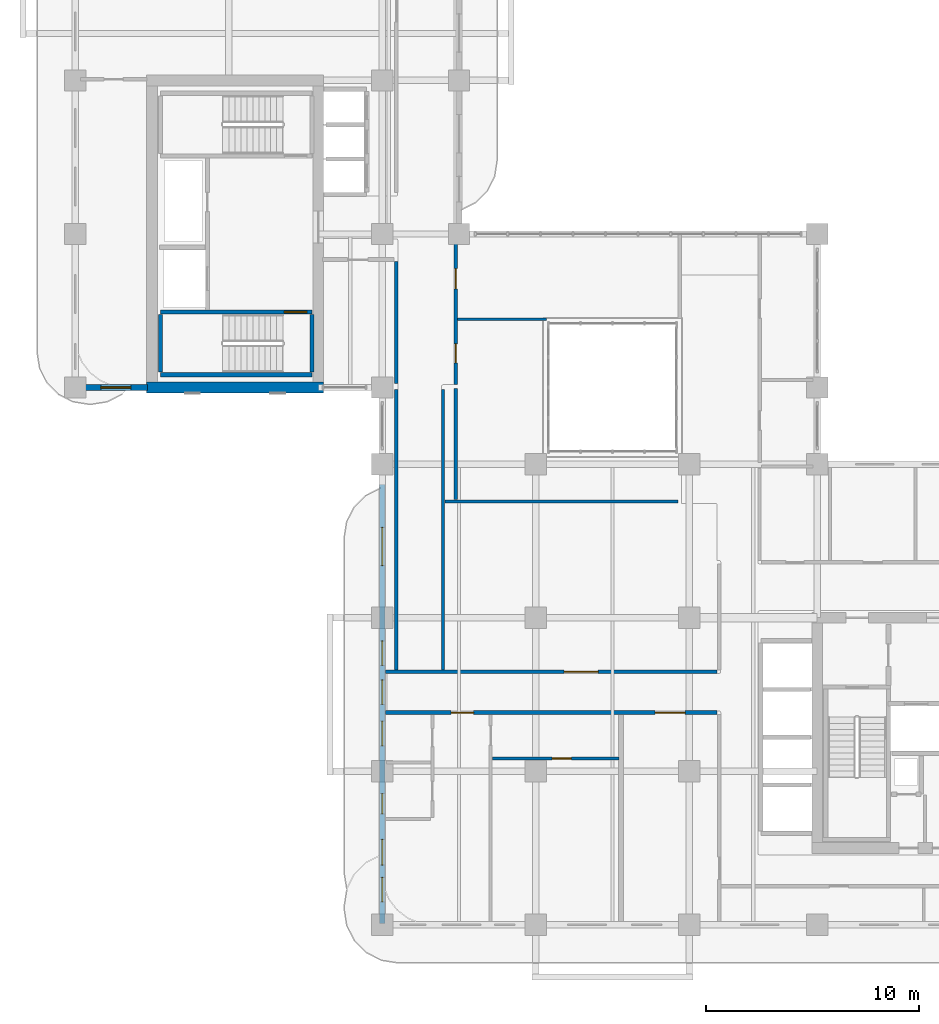
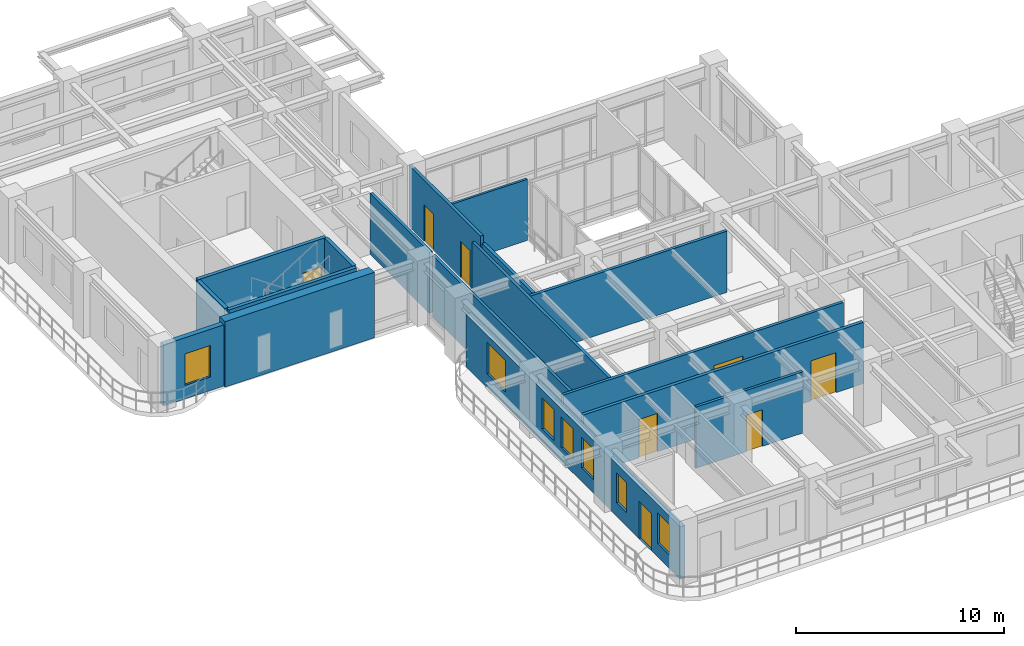
# One storey, part 11 of 19: 17 walls, 8 doors, 7 windows, 15 openings.
"""IFC4 building model written with IfcOpenShell, lengths in metres."""

from ifc_helpers import new_model, si_unit, derived_unit, direction, frame, frame_2d, origin, place, context, subcontext, project, spatial, rectangle, extrude, source, transform, mapped, material, layer, layer_set, type_object, type_shapes, element, fill, save


model = new_model("IFC4")

# Units and contexts
model_context = context("Model", 3, precision=1e-05, world=origin(), true_north=direction((0.0, 1.0)))
body_context = subcontext(model_context, "Body", "Model", "MODEL_VIEW")
ifc_project = project(units=[si_unit("LENGTHUNIT", "METRE"), si_unit("AREAUNIT", "SQUARE_METRE"), si_unit("VOLUMEUNIT", "CUBIC_METRE"), si_unit("PLANEANGLEUNIT", "RADIAN"), si_unit("MASSUNIT", "GRAM", prefix="KILO"), si_unit("THERMODYNAMICTEMPERATUREUNIT", "KELVIN"), si_unit("POWERUNIT", "WATT"), derived_unit("THERMALTRANSMITTANCEUNIT", [(si_unit("POWERUNIT", "WATT"), 1), (si_unit("AREAUNIT", "SQUARE_METRE"), -1), (si_unit("THERMODYNAMICTEMPERATUREUNIT", "KELVIN"), -1)])], contexts=[model_context])

# Site, building, storey
site_placement = place(None, origin())
site = spatial("IfcSite", under=ifc_project, at=site_placement, CompositionType="ELEMENT")
building_placement = place(site_placement, origin())
building = spatial("IfcBuilding", under=site, at=building_placement, Name="Zahravan Archway Hotel and Residences", CompositionType="ELEMENT")
storey_placement = place(building_placement, frame((0.0, 0.0, 158.0)))
storey = spatial("IfcBuildingStorey", under=building, at=storey_placement, Name="L39", CompositionType="ELEMENT", Elevation=158.0)

# Wall
ifc_material_1 = material(Name="Concrete C60/75", Category="concrete")
ifc_layer_1 = layer(ifc_material_1, 0.5, Name="Concrete C60/75", Category="concrete")
ifc_layer_set_1 = layer_set([ifc_layer_1], Name="Concrete C60/75")
wall_type_1 = type_object("IfcWallType", Name="CW-CORE-500", PredefinedType="SHEAR", material=ifc_layer_set_1)
wall_1_placement = place(storey_placement, frame((3.35009765625, 25.199951171875, 0.0), z_axis=(0.0, 0.0, 1.0), x_axis=(1.0, 0.0, 0.0)))
element("IfcWall", 1, at=wall_1_placement, inside=storey, type_object=wall_type_1, Name="L39 Core B Shear S Wall 500 mm", PredefinedType="SHEAR", context=body_context, shape_type="SweptSolid", body=[
    extrude(rectangle(XDim=8.2998046875, YDim=0.5, at=frame_2d((4.14990234375, 0.0))), origin(), (0.0, 0.0, 1.0), 3.85009765625),
])

# Wall, openings, door, windows
ifc_material_2 = material(Name="Honed Red-Ochre Sandstone & Insulated Block", Category="masonry")
ifc_layer_2 = layer(ifc_material_2, 0.280029296875, Name="Honed Red-Ochre Sandstone & Insulated Block", Category="masonry")
ifc_layer_set_2 = layer_set([ifc_layer_2], Name="Honed Red-Ochre Sandstone & Insulated Block")
wall_type_2 = type_object("IfcWallType", Name="EW-LOG-280", PredefinedType="SOLIDWALL", material=ifc_layer_set_2)
wall_2_placement = place(storey_placement, frame((14.39990234375, 0.050048828125, 0.0), z_axis=(0.0, 0.0, 1.0), x_axis=(0.0, 1.0, 0.0)))
wall_2 = element("IfcWall", 2, at=wall_2_placement, inside=storey, type_object=wall_type_2, Name="L39 Exterior Sandstone Wall WA-WL", PredefinedType="SOLIDWALL", context=body_context, shape_type="SweptSolid", body=[
    extrude(rectangle(XDim=20.599853515625, YDim=0.280029296875, at=frame_2d((10.2998046875, 0.0))), origin(), (0.0, 0.0, 1.0), 3.0849609375),
])
opening_1_placement = place(wall_2_placement, frame((2.75, 0.0, 0.0)))
opening_1 = element("IfcOpeningElement", 3, at=opening_1_placement, cuts=wall_2, Name="Opening ED-BL1", PredefinedType="OPENING", context=body_context, shape_type="SweptSolid", body=[
    extrude(rectangle(XDim=1.199951171875, YDim=2.199951171875, at=frame_2d((0.60009765625, 1.10009765625))), frame((0.0, 0.14990234375, 0.0), z_axis=(0.0, -1.0, 0.0), x_axis=(1.0, 0.0, 0.0)), (0.0, 0.0, 1.0), 0.300048828125),
])
opening_2_placement = place(wall_2_placement, frame((1.02490234375, 0.0, 0.800048828125)))
opening_2 = element("IfcOpeningElement", 4, at=opening_2_placement, cuts=wall_2, Name="Opening W-05", PredefinedType="OPENING", context=body_context, shape_type="SweptSolid", body=[
    extrude(rectangle(XDim=1.14990234375, YDim=1.800048828125, at=frame_2d((0.574951171875, 0.89990234375))), frame((0.0, 0.14990234375, 0.0), z_axis=(0.0, -1.0, 0.0), x_axis=(1.0, 0.0, 0.0)), (0.0, 0.0, 1.0), 0.300048828125),
])
opening_3_placement = place(wall_2_placement, frame((5.154052734375, 0.0, 0.800048828125)))
opening_3 = element("IfcOpeningElement", 5, at=opening_3_placement, cuts=wall_2, Name="Opening W-04", PredefinedType="OPENING", context=body_context, shape_type="SweptSolid", body=[
    extrude(rectangle(XDim=0.949951171875, YDim=1.75, at=frame_2d((0.47509765625, 0.875))), frame((0.0, 0.14990234375, 0.0), z_axis=(0.0, -1.0, 0.0), x_axis=(1.0, 0.0, 0.0)), (0.0, 0.0, 1.0), 0.300048828125),
])
opening_4_placement = place(wall_2_placement, frame((8.345947265625, 0.0, 0.800048828125)))
opening_4 = element("IfcOpeningElement", 6, at=opening_4_placement, cuts=wall_2, Name="Opening W-05", PredefinedType="OPENING", context=body_context, shape_type="SweptSolid", body=[
    extrude(rectangle(XDim=1.14990234375, YDim=1.800048828125, at=frame_2d((0.574951171875, 0.89990234375))), frame((0.0, 0.14990234375, 0.0), z_axis=(0.0, -1.0, 0.0), x_axis=(1.0, 0.0, 0.0)), (0.0, 0.0, 1.0), 0.300048828125),
])
opening_5_placement = place(wall_2_placement, frame((10.284912109375, 0.0, 0.800048828125)))
opening_5 = element("IfcOpeningElement", 7, at=opening_5_placement, cuts=wall_2, Name="Opening W-05", PredefinedType="OPENING", context=body_context, shape_type="SweptSolid", body=[
    extrude(rectangle(XDim=1.14990234375, YDim=1.800048828125, at=frame_2d((0.574951171875, 0.89990234375))), frame((0.0, 0.14990234375, 0.0), z_axis=(0.0, -1.0, 0.0), x_axis=(1.0, 0.0, 0.0)), (0.0, 0.0, 1.0), 0.300048828125),
])
opening_6_placement = place(wall_2_placement, frame((12.114013671875, 0.0, 0.800048828125)))
opening_6 = element("IfcOpeningElement", 8, at=opening_6_placement, cuts=wall_2, Name="Opening W-05", PredefinedType="OPENING", context=body_context, shape_type="SweptSolid", body=[
    extrude(rectangle(XDim=1.14990234375, YDim=1.800048828125, at=frame_2d((0.574951171875, 0.89990234375))), frame((0.0, 0.14990234375, 0.0), z_axis=(0.0, -1.0, 0.0), x_axis=(1.0, 0.0, 0.0)), (0.0, 0.0, 1.0), 0.300048828125),
])
opening_7_placement = place(wall_2_placement, frame((16.7900390625, 0.0, 0.800048828125)))
opening_7 = element("IfcOpeningElement", 9, at=opening_7_placement, cuts=wall_2, Name="Opening W-02", PredefinedType="OPENING", context=body_context, shape_type="SweptSolid", body=[
    extrude(rectangle(XDim=1.800048828125, YDim=1.85009765625, at=frame_2d((0.89990234375, 0.925048828125))), frame((0.0, 0.14990234375, 0.0), z_axis=(0.0, -1.0, 0.0), x_axis=(1.0, 0.0, 0.0)), (0.0, 0.0, 1.0), 0.300048828125),
])
ifc_material_3 = material(Name="Bronze-Anodized Glazed Aluminium", Category="aluminium")
door_type_1 = type_object("IfcDoorType", Name="ED-BALC-1200", OperationType="SLIDING_TO_LEFT", PredefinedType="DOOR", material=ifc_material_3)
shared_shape_1 = source(origin(), body_context, "Body", "SweptSolid", [
    extrude(rectangle(XDim=1.199951171875, YDim=2.199951171875, at=frame_2d((0.60009765625, 1.10009765625))), frame((0.0, 0.02490234375, 0.0), z_axis=(0.0, -1.0, 0.0), x_axis=(1.0, 0.0, 0.0)), (0.0, 0.0, 1.0), 0.050048828125),
])
type_shapes(door_type_1, [shared_shape_1])
door_1_placement = place(opening_1_placement, origin())
door_1 = element("IfcDoor", 10, at=door_1_placement, inside=storey, type_object=door_type_1, Name="L39 Outdoor Access Sliding Door (SLB-BAL-L39-WA)", OperationType="SLIDING_TO_LEFT", OverallHeight=2.199951171875, OverallWidth=1.199951171875, PredefinedType="DOOR", context=body_context, shape_type="MappedRepresentation", body=[
    mapped(shared_shape_1, transform((0.0, 0.0, 0.0), scale=1.0)),
])
fill(opening_1, door_1)
ifc_material_4 = material(Name="Bronze-Anodized Thermal-Break Aluminium & Low-E Glass", Category="aluminium")
window_type_1 = type_object("IfcWindowType", Name="WIN-NAR-950", PartitioningType="SINGLE_PANEL", PredefinedType="WINDOW", material=ifc_material_4)
shared_shape_2 = source(origin(), body_context, "Body", "SweptSolid", [
    extrude(rectangle(XDim=0.949951171875, YDim=1.75, at=frame_2d((0.47509765625, 0.875))), frame((0.0, 0.030029296875, 0.0), z_axis=(0.0, -1.0, 0.0), x_axis=(1.0, 0.0, 0.0)), (0.0, 0.0, 1.0), 0.06005859375),
])
type_shapes(window_type_1, [shared_shape_2])
window_1_placement = place(opening_3_placement, origin())
window_1 = element("IfcWindow", 11, at=window_1_placement, inside=storey, type_object=window_type_1, Name="L39 Loggia Window 16", OverallHeight=1.75, OverallWidth=0.949951171875, PartitioningType="SINGLE_PANEL", PredefinedType="WINDOW", context=body_context, shape_type="MappedRepresentation", body=[
    mapped(shared_shape_2, transform((0.0, 0.0, 0.0), scale=1.0)),
])
fill(opening_3, window_1)
window_type_2 = type_object("IfcWindowType", Name="WIN-TWR-1800", PartitioningType="DOUBLE_PANEL_VERTICAL", PredefinedType="WINDOW", material=ifc_material_4)
shared_shape_3 = source(origin(), body_context, "Body", "SweptSolid", [
    extrude(rectangle(XDim=1.800048828125, YDim=1.85009765625, at=frame_2d((0.89990234375, 0.925048828125))), frame((0.0, 0.030029296875, 0.0), z_axis=(0.0, -1.0, 0.0), x_axis=(1.0, 0.0, 0.0)), (0.0, 0.0, 1.0), 0.06005859375),
])
type_shapes(window_type_2, [shared_shape_3])
window_2_placement = place(opening_7_placement, origin())
window_2 = element("IfcWindow", 12, at=window_2_placement, inside=storey, type_object=window_type_2, Name="L39 Loggia Window 20", OverallHeight=1.85009765625, OverallWidth=1.800048828125, PartitioningType="DOUBLE_PANEL_VERTICAL", PredefinedType="WINDOW", context=body_context, shape_type="MappedRepresentation", body=[
    mapped(shared_shape_3, transform((0.0, 0.0, 0.0), scale=1.0)),
])
fill(opening_7, window_2)
window_type_3 = type_object("IfcWindowType", Name="WIN-TWR-1150", PartitioningType="SINGLE_PANEL", PredefinedType="WINDOW", material=ifc_material_4)
shared_shape_4 = source(origin(), body_context, "Body", "SweptSolid", [
    extrude(rectangle(XDim=1.14990234375, YDim=1.800048828125, at=frame_2d((0.574951171875, 0.89990234375))), frame((0.0, 0.030029296875, 0.0), z_axis=(0.0, -1.0, 0.0), x_axis=(1.0, 0.0, 0.0)), (0.0, 0.0, 1.0), 0.06005859375),
])
type_shapes(window_type_3, [shared_shape_4])
window_3_placement = place(opening_2_placement, origin())
window_3 = element("IfcWindow", 13, at=window_3_placement, inside=storey, type_object=window_type_3, Name="L39 Loggia Window 15", OverallHeight=1.800048828125, OverallWidth=1.14990234375, PartitioningType="SINGLE_PANEL", PredefinedType="WINDOW", context=body_context, shape_type="MappedRepresentation", body=[
    mapped(shared_shape_4, transform((0.0, 0.0, 0.0), scale=1.0)),
])
fill(opening_2, window_3)
window_4_placement = place(opening_4_placement, origin())
window_4 = element("IfcWindow", 14, at=window_4_placement, inside=storey, type_object=window_type_3, Name="L39 Loggia Window 17", OverallHeight=1.800048828125, OverallWidth=1.14990234375, PartitioningType="SINGLE_PANEL", PredefinedType="WINDOW", context=body_context, shape_type="MappedRepresentation", body=[
    mapped(shared_shape_4, transform((0.0, 0.0, 0.0), scale=1.0)),
])
fill(opening_4, window_4)
window_5_placement = place(opening_5_placement, origin())
window_5 = element("IfcWindow", 15, at=window_5_placement, inside=storey, type_object=window_type_3, Name="L39 Loggia Window 18", OverallHeight=1.800048828125, OverallWidth=1.14990234375, PartitioningType="SINGLE_PANEL", PredefinedType="WINDOW", context=body_context, shape_type="MappedRepresentation", body=[
    mapped(shared_shape_4, transform((0.0, 0.0, 0.0), scale=1.0)),
])
fill(opening_5, window_5)
window_6_placement = place(opening_6_placement, origin())
window_6 = element("IfcWindow", 16, at=window_6_placement, inside=storey, type_object=window_type_3, Name="L39 Loggia Window 19", OverallHeight=1.800048828125, OverallWidth=1.14990234375, PartitioningType="SINGLE_PANEL", PredefinedType="WINDOW", context=body_context, shape_type="MappedRepresentation", body=[
    mapped(shared_shape_4, transform((0.0, 0.0, 0.0), scale=1.0)),
])
fill(opening_6, window_6)

# Wall, opening, window
wall_3_placement = place(storey_placement, frame((0.0, 25.199951171875, 0.0), z_axis=(0.0, 0.0, 1.0), x_axis=(1.0, 0.0, 0.0)))
wall_3 = element("IfcWall", 17, at=wall_3_placement, inside=storey, type_object=wall_type_2, Name="L39 Exterior Sandstone Wall WB-SW", PredefinedType="SOLIDWALL", context=body_context, shape_type="SweptSolid", body=[
    extrude(rectangle(XDim=3.3798828125, YDim=0.280029296875, at=frame_2d((1.68994140625, 0.0))), origin(), (0.0, 0.0, 1.0), 3.60009765625),
])
opening_8_placement = place(wall_3_placement, frame((1.205078125, 0.0, 0.800048828125)))
opening_8 = element("IfcOpeningElement", 18, at=opening_8_placement, cuts=wall_3, Name="Opening W-03", PredefinedType="OPENING", context=body_context, shape_type="SweptSolid", body=[
    extrude(rectangle(XDim=1.39990234375, YDim=1.85009765625, at=frame_2d((0.699951171875, 0.925048828125))), frame((0.0, 0.14990234375, 0.0), z_axis=(0.0, -1.0, 0.0), x_axis=(1.0, 0.0, 0.0)), (0.0, 0.0, 1.0), 0.300048828125),
])
window_type_4 = type_object("IfcWindowType", Name="WIN-TWR-1400", PartitioningType="SINGLE_PANEL", PredefinedType="WINDOW", material=ifc_material_4)
shared_shape_5 = source(origin(), body_context, "Body", "SweptSolid", [
    extrude(rectangle(XDim=1.39990234375, YDim=1.85009765625, at=frame_2d((0.699951171875, 0.925048828125))), frame((0.0, 0.030029296875, 0.0), z_axis=(0.0, -1.0, 0.0), x_axis=(1.0, 0.0, 0.0)), (0.0, 0.0, 1.0), 0.06005859375),
])
type_shapes(window_type_4, [shared_shape_5])
window_7_placement = place(opening_8_placement, origin())
window_7 = element("IfcWindow", 19, at=window_7_placement, inside=storey, type_object=window_type_4, Name="L39 Loggia Window 21", OverallHeight=1.85009765625, OverallWidth=1.39990234375, PartitioningType="SINGLE_PANEL", PredefinedType="WINDOW", context=body_context, shape_type="MappedRepresentation", body=[
    mapped(shared_shape_5, transform((0.0, 0.0, 0.0), scale=1.0)),
])
fill(opening_8, window_7)

# Wall, opening, door
ifc_material_5 = material(Name="Fire-Rated Gypsum & Concrete Block", Category="concrete")
ifc_layer_3 = layer(ifc_material_5, 0.159912109375, Name="Fire-Rated Gypsum & Concrete Block", Category="concrete")
ifc_layer_set_3 = layer_set([ifc_layer_3], Name="Fire-Rated Gypsum & Concrete Block")
wall_type_3 = type_object("IfcWallType", Name="PW-CORR-160", PredefinedType="PARTITIONING", material=ifc_layer_set_3)
wall_4_placement = place(storey_placement, frame((14.548095703125, 11.8701171875, 0.0), z_axis=(0.0, 0.0, 1.0), x_axis=(1.0, 0.0, 0.0)))
wall_4 = element("IfcWall", 20, at=wall_4_placement, inside=storey, type_object=wall_type_3, Name="L39 Partition WA-CN", PredefinedType="PARTITIONING", context=body_context, shape_type="SweptSolid", body=[
    extrude(rectangle(XDim=15.56201171875, YDim=0.159912109375, at=frame_2d((7.781005859375, 0.0))), origin(), (0.0, 0.0, 1.0), 3.60009765625),
])
opening_9_placement = place(wall_4_placement, frame((8.376953125, 0.0, 0.0)))
opening_9 = element("IfcOpeningElement", 21, at=opening_9_placement, cuts=wall_4, Name="Opening D-P2", PredefinedType="OPENING", context=body_context, shape_type="SweptSolid", body=[
    extrude(rectangle(XDim=1.60009765625, YDim=2.39990234375, at=frame_2d((0.800048828125, 1.199951171875))), frame((0.0, 0.08984375, 0.0), z_axis=(0.0, -1.0, 0.0), x_axis=(1.0, 0.0, 0.0)), (0.0, 0.0, 1.0), 0.179931640625),
])
door_type_2 = type_object("IfcDoorType", Name="ID-PUBLIC-1600", OperationType="DOUBLE_DOOR_SINGLE_SWING", PredefinedType="DOOR", material=ifc_material_3)
shared_shape_6 = source(origin(), body_context, "Body", "SweptSolid", [
    extrude(rectangle(XDim=1.60009765625, YDim=2.39990234375, at=frame_2d((0.800048828125, 1.199951171875))), frame((0.0, 0.02490234375, 0.0), z_axis=(0.0, -1.0, 0.0), x_axis=(1.0, 0.0, 0.0)), (0.0, 0.0, 1.0), 0.050048828125),
])
type_shapes(door_type_2, [shared_shape_6])
door_2_placement = place(opening_9_placement, origin())
door_2 = element("IfcDoor", 22, at=door_2_placement, inside=storey, type_object=door_type_2, Name="L39 Atrium Spa Door", OperationType="DOUBLE_DOOR_SINGLE_SWING", OverallHeight=2.39990234375, OverallWidth=1.60009765625, PredefinedType="DOOR", context=body_context, shape_type="MappedRepresentation", body=[
    mapped(shared_shape_6, transform((0.0, 0.0, 0.0), scale=1.0)),
])
fill(opening_9, door_2)

# Walls
for number, where, z_axis, x_axis, name in (
    (23, (15.050048828125, 11.9599609375, 0.0), (0.0, 0.0, 1.0), (0.0, 1.0, 0.0), "L39 Partition LNK-W"),
    (24, (17.25, 11.9599609375, 0.0), (0.0, 0.0, 1.0), (0.0, 1.0, 0.0), "L39 Partition LNK-E"),
):
    element("IfcWall", number, at=place(storey_placement, frame(where, z_axis=z_axis, x_axis=x_axis)), inside=storey, type_object=wall_type_3, Name=name, PredefinedType="PARTITIONING", context=body_context, shape_type="SweptSolid", body=[
        extrude(rectangle(XDim=13.150146484375, YDim=0.159912109375, at=frame_2d((6.5751953125, 0.0))), origin(), (0.0, 0.0, 1.0), 3.60009765625),
    ])
wall_5_placement = place(storey_placement, frame((15.050048828125, 25.389892578125, 0.0), z_axis=(0.0, 0.0, 1.0), x_axis=(0.0, 1.0, 0.0)))
element("IfcWall", 25, at=wall_5_placement, inside=storey, type_object=wall_type_3, Name="L39 Partition FB1-E", PredefinedType="PARTITIONING", context=body_context, shape_type="SweptSolid", body=[
    extrude(rectangle(XDim=5.72021484375, YDim=0.159912109375, at=frame_2d((2.860107421875, 0.0))), origin(), (0.0, 0.0, 1.0), 3.60009765625),
])
wall_6_placement = place(storey_placement, frame((17.340087890625, 19.85009765625, 0.0), z_axis=(0.0, 0.0, 1.0), x_axis=(1.0, 0.0, 0.0)))
element("IfcWall", 26, at=wall_6_placement, inside=storey, type_object=wall_type_3, Name="L39 Partition ATR-S", PredefinedType="PARTITIONING", context=body_context, shape_type="SweptSolid", body=[
    extrude(rectangle(XDim=10.919921875, YDim=0.159912109375, at=frame_2d((5.4599609375, 0.0))), origin(), (0.0, 0.0, 1.0), 3.60009765625),
])

# Wall, openings, doors
ifc_layer_4 = layer(ifc_material_5, 0.179931640625, Name="Fire-Rated Gypsum & Concrete Block", Category="concrete")
ifc_layer_set_4 = layer_set([ifc_layer_4], Name="Fire-Rated Gypsum & Concrete Block")
wall_type_4 = type_object("IfcWallType", Name="PW-CORR-180", PredefinedType="PARTITIONING", material=ifc_layer_set_4)
wall_7_placement = place(storey_placement, frame((14.548095703125, 9.949951171875, 0.0), z_axis=(0.0, 0.0, 1.0), x_axis=(1.0, 0.0, 0.0)))
wall_7 = element("IfcWall", 27, at=wall_7_placement, inside=storey, type_object=wall_type_4, Name="L39 Partition WA-CS", PredefinedType="PARTITIONING", context=body_context, shape_type="SweptSolid", body=[
    extrude(rectangle(XDim=15.56201171875, YDim=0.179931640625, at=frame_2d((7.781005859375, 0.0))), origin(), (0.0, 0.0, 1.0), 3.60009765625),
])
opening_10_placement = place(wall_7_placement, frame((3.08203125, 0.0, 0.0)))
opening_10 = element("IfcOpeningElement", 28, at=opening_10_placement, cuts=wall_7, Name="Opening D-U1", PredefinedType="OPENING", context=body_context, shape_type="SweptSolid", body=[
    extrude(rectangle(XDim=1.050048828125, YDim=2.25, at=frame_2d((0.52490234375, 1.125))), frame((0.0, 0.10009765625, 0.0), z_axis=(0.0, -1.0, 0.0), x_axis=(1.0, 0.0, 0.0)), (0.0, 0.0, 1.0), 0.199951171875),
])
opening_11_placement = place(wall_7_placement, frame((12.652099609375, 0.0, 0.0)))
opening_11 = element("IfcOpeningElement", 29, at=opening_11_placement, cuts=wall_7, Name="Opening D-P1", PredefinedType="OPENING", context=body_context, shape_type="SweptSolid", body=[
    extrude(rectangle(XDim=1.39990234375, YDim=2.35009765625, at=frame_2d((0.699951171875, 1.175048828125))), frame((0.0, 0.10009765625, 0.0), z_axis=(0.0, -1.0, 0.0), x_axis=(1.0, 0.0, 0.0)), (0.0, 0.0, 1.0), 0.199951171875),
])
door_type_3 = type_object("IfcDoorType", Name="ID-PUBLIC-1400", OperationType="DOUBLE_DOOR_SINGLE_SWING", PredefinedType="DOOR", material=ifc_material_3)
shared_shape_7 = source(origin(), body_context, "Body", "SweptSolid", [
    extrude(rectangle(XDim=1.39990234375, YDim=2.35009765625, at=frame_2d((0.699951171875, 1.175048828125))), frame((0.0, 0.02490234375, 0.0), z_axis=(0.0, -1.0, 0.0), x_axis=(1.0, 0.0, 0.0)), (0.0, 0.0, 1.0), 0.050048828125),
])
type_shapes(door_type_3, [shared_shape_7])
door_3_placement = place(opening_11_placement, origin())
door_3 = element("IfcDoor", 30, at=door_3_placement, inside=storey, type_object=door_type_3, Name="L39 South Yoga Salon Door", OperationType="DOUBLE_DOOR_SINGLE_SWING", OverallHeight=2.35009765625, OverallWidth=1.39990234375, PredefinedType="DOOR", context=body_context, shape_type="MappedRepresentation", body=[
    mapped(shared_shape_7, transform((0.0, 0.0, 0.0), scale=1.0)),
])
fill(opening_11, door_3)
ifc_material_6 = material(Name="Hardwood Veneer Timber", Category="wood")
door_type_4 = type_object("IfcDoorType", Name="ID-UNIT-1050", OperationType="NOTDEFINED", PredefinedType="DOOR", material=ifc_material_6)
shared_shape_8 = source(origin(), body_context, "Body", "SweptSolid", [
    extrude(rectangle(XDim=1.050048828125, YDim=2.25, at=frame_2d((0.52490234375, 1.125))), frame((0.0, 0.02490234375, 0.0), z_axis=(0.0, -1.0, 0.0), x_axis=(1.0, 0.0, 0.0)), (0.0, 0.0, 1.0), 0.050048828125),
])
type_shapes(door_type_4, [shared_shape_8])
door_4_placement = place(opening_10_placement, origin())
door_4 = element("IfcDoor", 31, at=door_4_placement, inside=storey, type_object=door_type_4, Name="L39 Flat S1 Entrance Door", OperationType="SINGLE_SWING_LEFT", OverallHeight=2.25, OverallWidth=1.050048828125, PredefinedType="DOOR", context=body_context, shape_type="MappedRepresentation", body=[
    mapped(shared_shape_8, transform((0.0, 0.0, 0.0), scale=1.0)),
])
fill(opening_10, door_4)

# Wall
ifc_material_7 = material(Name="Acoustic Stud Partition")
ifc_layer_5 = layer(ifc_material_7, 0.125, Name="Acoustic Stud Partition")
ifc_layer_set_5 = layer_set([ifc_layer_5], Name="Acoustic Stud Partition")
wall_type_5 = type_object("IfcWallType", Name="PW-INT-125", PredefinedType="PARTITIONING", material=ifc_layer_set_5)
wall_8_placement = place(storey_placement, frame((17.93994140625, 28.39990234375, 0.0), z_axis=(0.0, 0.0, 1.0), x_axis=(1.0, 0.0, 0.0)))
element("IfcWall", 32, at=wall_8_placement, inside=storey, type_object=wall_type_5, Name="L39 Partition ATR-NW1", PredefinedType="PARTITIONING", context=body_context, shape_type="SweptSolid", body=[
    extrude(rectangle(XDim=4.170166015625, YDim=0.125, at=frame_2d((2.0849609375, 0.0))), origin(), (0.0, 0.0, 1.0), 3.60009765625),
])

# Wall, opening, door
ifc_layer_6 = layer(ifc_material_7, 0.14990234375, Name="Acoustic Stud Partition")
ifc_layer_set_6 = layer_set([ifc_layer_6], Name="Acoustic Stud Partition")
wall_type_6 = type_object("IfcWallType", Name="PW-UNIT-150", PredefinedType="PARTITIONING", material=ifc_layer_set_6)
wall_9_placement = place(storey_placement, frame((19.570068359375, 7.800048828125, 0.0), z_axis=(0.0, 0.0, 1.0), x_axis=(1.0, 0.0, 0.0)))
wall_9 = element("IfcWall", 33, at=wall_9_placement, inside=storey, type_object=wall_type_6, Name="L39 Partition FL-S1-GH", PredefinedType="PARTITIONING", context=body_context, shape_type="SweptSolid", body=[
    extrude(rectangle(XDim=5.93994140625, YDim=0.14990234375, at=frame_2d((2.969970703125, 0.0))), origin(), (0.0, 0.0, 1.0), 3.60009765625),
])
opening_12_placement = place(wall_9_placement, frame((2.797607421875, 0.0, 0.0)))
opening_12 = element("IfcOpeningElement", 34, at=opening_12_placement, cuts=wall_9, Name="Opening D-I2", PredefinedType="OPENING", context=body_context, shape_type="SweptSolid", body=[
    extrude(rectangle(XDim=0.89990234375, YDim=2.14990234375, at=frame_2d((0.449951171875, 1.074951171875))), frame((0.0, 0.0849609375, 0.0), z_axis=(0.0, -1.0, 0.0), x_axis=(1.0, 0.0, 0.0)), (0.0, 0.0, 1.0), 0.169921875),
])
door_type_5 = type_object("IfcDoorType", Name="ID-INT-900", OperationType="NOTDEFINED", PredefinedType="DOOR", material=ifc_material_6)
shared_shape_9 = source(origin(), body_context, "Body", "SweptSolid", [
    extrude(rectangle(XDim=0.89990234375, YDim=2.14990234375, at=frame_2d((0.449951171875, 1.074951171875))), frame((0.0, 0.02490234375, 0.0), z_axis=(0.0, -1.0, 0.0), x_axis=(1.0, 0.0, 0.0)), (0.0, 0.0, 1.0), 0.050048828125),
])
type_shapes(door_type_5, [shared_shape_9])
door_5_placement = place(opening_12_placement, origin())
door_5 = element("IfcDoor", 35, at=door_5_placement, inside=storey, type_object=door_type_5, Name="L39 Flat S1 Bedroom 1 Door", OperationType="SINGLE_SWING_RIGHT", OverallHeight=2.14990234375, OverallWidth=0.89990234375, PredefinedType="DOOR", context=body_context, shape_type="MappedRepresentation", body=[
    mapped(shared_shape_9, transform((0.0, 0.0, 0.0), scale=1.0)),
])
fill(opening_12, door_5)

# Wall
ifc_layer_7 = layer(ifc_material_7, 0.169921875, Name="Acoustic Stud Partition")
ifc_layer_set_7 = layer_set([ifc_layer_7], Name="Acoustic Stud Partition")
wall_type_7 = type_object("IfcWallType", Name="PW-UNIT-170", PredefinedType="PARTITIONING", material=ifc_layer_set_7)
wall_10_placement = place(storey_placement, frame((17.85009765625, 19.93994140625, 0.0), z_axis=(0.0, 0.0, 1.0), x_axis=(0.0, 1.0, 0.0)))
element("IfcWall", 36, at=wall_10_placement, inside=storey, type_object=wall_type_7, Name="L39 Partition ATR-NWSL", PredefinedType="PARTITIONING", context=body_context, shape_type="SweptSolid", body=[
    extrude(rectangle(XDim=5.219970703125, YDim=0.169921875, at=frame_2d((2.60986328125, 0.0))), origin(), (0.0, 0.0, 1.0), 3.284912109375),
])

# Wall, openings, doors
wall_11_placement = place(storey_placement, frame((17.85009765625, 25.340087890625, 0.0), z_axis=(0.0, 0.0, 1.0), x_axis=(0.0, 1.0, 0.0)))
wall_11 = element("IfcWall", 37, at=wall_11_placement, inside=storey, type_object=wall_type_7, Name="L39 Partition ATR-W2", PredefinedType="PARTITIONING", context=body_context, shape_type="SweptSolid", body=[
    extrude(rectangle(XDim=6.869873046875, YDim=0.169921875, at=frame_2d((3.43505859375, 0.0))), origin(), (0.0, 0.0, 1.0), 3.60009765625),
])
opening_13_placement = place(wall_11_placement, frame((1.010009765625, 0.0, 0.0)))
opening_13 = element("IfcOpeningElement", 38, at=opening_13_placement, cuts=wall_11, Name="Opening D-I2", PredefinedType="OPENING", context=body_context, shape_type="SweptSolid", body=[
    extrude(rectangle(XDim=0.89990234375, YDim=2.14990234375, at=frame_2d((0.449951171875, 1.074951171875))), frame((0.0, 0.094970703125, 0.0), z_axis=(0.0, -1.0, 0.0), x_axis=(1.0, 0.0, 0.0)), (0.0, 0.0, 1.0), 0.18994140625),
])
opening_14_placement = place(wall_11_placement, frame((4.485107421875, 0.0, 0.0)))
opening_14 = element("IfcOpeningElement", 39, at=opening_14_placement, cuts=wall_11, Name="Opening D-I1", PredefinedType="OPENING", context=body_context, shape_type="SweptSolid", body=[
    extrude(rectangle(XDim=0.949951171875, YDim=2.14990234375, at=frame_2d((0.47509765625, 1.074951171875))), frame((0.0, 0.094970703125, 0.0), z_axis=(0.0, -1.0, 0.0), x_axis=(1.0, 0.0, 0.0)), (0.0, 0.0, 1.0), 0.18994140625),
])
door_type_6 = type_object("IfcDoorType", Name="ID-INT-950", OperationType="NOTDEFINED", PredefinedType="DOOR", material=ifc_material_6)
shared_shape_10 = source(origin(), body_context, "Body", "SweptSolid", [
    extrude(rectangle(XDim=0.949951171875, YDim=2.14990234375, at=frame_2d((0.47509765625, 1.074951171875))), frame((0.0, 0.02490234375, 0.0), z_axis=(0.0, -1.0, 0.0), x_axis=(1.0, 0.0, 0.0)), (0.0, 0.0, 1.0), 0.050048828125),
])
type_shapes(door_type_6, [shared_shape_10])
door_6_placement = place(opening_14_placement, origin())
door_6 = element("IfcDoor", 40, at=door_6_placement, inside=storey, type_object=door_type_6, Name="L39 Atrium North Lounge Door", OperationType="SINGLE_SWING_LEFT", OverallHeight=2.14990234375, OverallWidth=0.949951171875, PredefinedType="DOOR", context=body_context, shape_type="MappedRepresentation", body=[
    mapped(shared_shape_10, transform((0.0, 0.0, 0.0), scale=1.0)),
])
fill(opening_14, door_6)
door_7_placement = place(opening_13_placement, origin())
door_7 = element("IfcDoor", 41, at=door_7_placement, inside=storey, type_object=door_type_5, Name="L39 Atrium West Study Door", OperationType="SINGLE_SWING_RIGHT", OverallHeight=2.14990234375, OverallWidth=0.89990234375, PredefinedType="DOOR", context=body_context, shape_type="MappedRepresentation", body=[
    mapped(shared_shape_9, transform((0.0, 0.0, 0.0), scale=1.0)),
])
fill(opening_13, door_7)

# Walls
ifc_material_8 = material(Name="Concrete C50/60", Category="concrete")
ifc_layer_8 = layer(ifc_material_8, 0.199951171875, Name="Concrete C50/60", Category="concrete")
ifc_layer_set_8 = layer_set([ifc_layer_8], Name="Concrete C50/60")
wall_type_8 = type_object("IfcWallType", Name="SW-STAIR-200", PredefinedType="SHEAR", material=ifc_layer_set_8)
wall_12_placement = place(storey_placement, frame((4.0, 25.800048828125, 0.0), z_axis=(0.0, 0.0, 1.0), x_axis=(1.0, 0.0, 0.0)))
element("IfcWall", 42, at=wall_12_placement, inside=storey, type_object=wall_type_8, Name="L39 Stairwell RC Wall CB-SB1S", PredefinedType="SHEAR", context=body_context, shape_type="SweptSolid", body=[
    extrude(rectangle(XDim=7.10009765625, YDim=0.199951171875, at=frame_2d((3.550048828125, 0.0))), origin(), (0.0, 0.0, 1.0), 3.85009765625),
])
for number, where, z_axis, x_axis, name in (
    (43, (4.0, 25.919921875, 0.0), (0.0, 0.0, 1.0), (0.0, 1.0, 0.0), "L39 Stairwell RC Wall CB-SB1W"),
    (44, (11.10009765625, 25.919921875, 0.0), (0.0, 0.0, 1.0), (0.0, 1.0, 0.0), "L39 Stairwell RC Wall CB-SB1E"),
):
    element("IfcWall", number, at=place(storey_placement, frame(where, z_axis=z_axis, x_axis=x_axis)), inside=storey, type_object=wall_type_8, Name=name, PredefinedType="SHEAR", context=body_context, shape_type="SweptSolid", body=[
        extrude(rectangle(XDim=2.7001953125, YDim=0.199951171875, at=frame_2d((1.35009765625, 0.0))), origin(), (0.0, 0.0, 1.0), 3.85009765625),
    ])

# Wall, opening, door
wall_13_placement = place(storey_placement, frame((4.0, 28.739990234375, 0.0), z_axis=(0.0, 0.0, 1.0), x_axis=(1.0, 0.0, 0.0)))
wall_13 = element("IfcWall", 45, at=wall_13_placement, inside=storey, type_object=wall_type_8, Name="L39 Stairwell RC Wall CB-SB1N", PredefinedType="SHEAR", context=body_context, shape_type="SweptSolid", body=[
    extrude(rectangle(XDim=7.10009765625, YDim=0.199951171875, at=frame_2d((3.550048828125, 0.0))), origin(), (0.0, 0.0, 1.0), 3.85009765625),
])
opening_15_placement = place(wall_13_placement, frame((5.81494140625, 0.0, 0.0)))
opening_15 = element("IfcOpeningElement", 46, at=opening_15_placement, cuts=wall_13, Name="Opening FD-S1", PredefinedType="OPENING", context=body_context, shape_type="SweptSolid", body=[
    extrude(rectangle(XDim=1.050048828125, YDim=2.199951171875, at=frame_2d((0.52490234375, 1.10009765625))), frame((0.0, 0.10986328125, 0.0), z_axis=(0.0, -1.0, 0.0), x_axis=(1.0, 0.0, 0.0)), (0.0, 0.0, 1.0), 0.219970703125),
])
ifc_material_9 = material(Name="Fire-Rated Painted Steel", Category="steel")
door_type_7 = type_object("IfcDoorType", Name="FD-STAIR-1100", OperationType="NOTDEFINED", PredefinedType="DOOR", material=ifc_material_9)
shared_shape_11 = source(origin(), body_context, "Body", "SweptSolid", [
    extrude(rectangle(XDim=1.050048828125, YDim=2.199951171875, at=frame_2d((0.52490234375, 1.10009765625))), frame((0.0, 0.02490234375, 0.0), z_axis=(0.0, -1.0, 0.0), x_axis=(1.0, 0.0, 0.0)), (0.0, 0.0, 1.0), 0.050048828125),
])
type_shapes(door_type_7, [shared_shape_11])
door_8_placement = place(opening_15_placement, origin())
door_8 = element("IfcDoor", 47, at=door_8_placement, inside=storey, type_object=door_type_7, Name="L39 Stair ST-B1 Door", OperationType="SINGLE_SWING_LEFT", OverallHeight=2.199951171875, OverallWidth=1.050048828125, PredefinedType="DOOR", context=body_context, shape_type="MappedRepresentation", body=[
    mapped(shared_shape_11, transform((0.0, 0.0, 0.0), scale=1.0)),
])
fill(opening_15, door_8)

save(model, "model.ifc")
